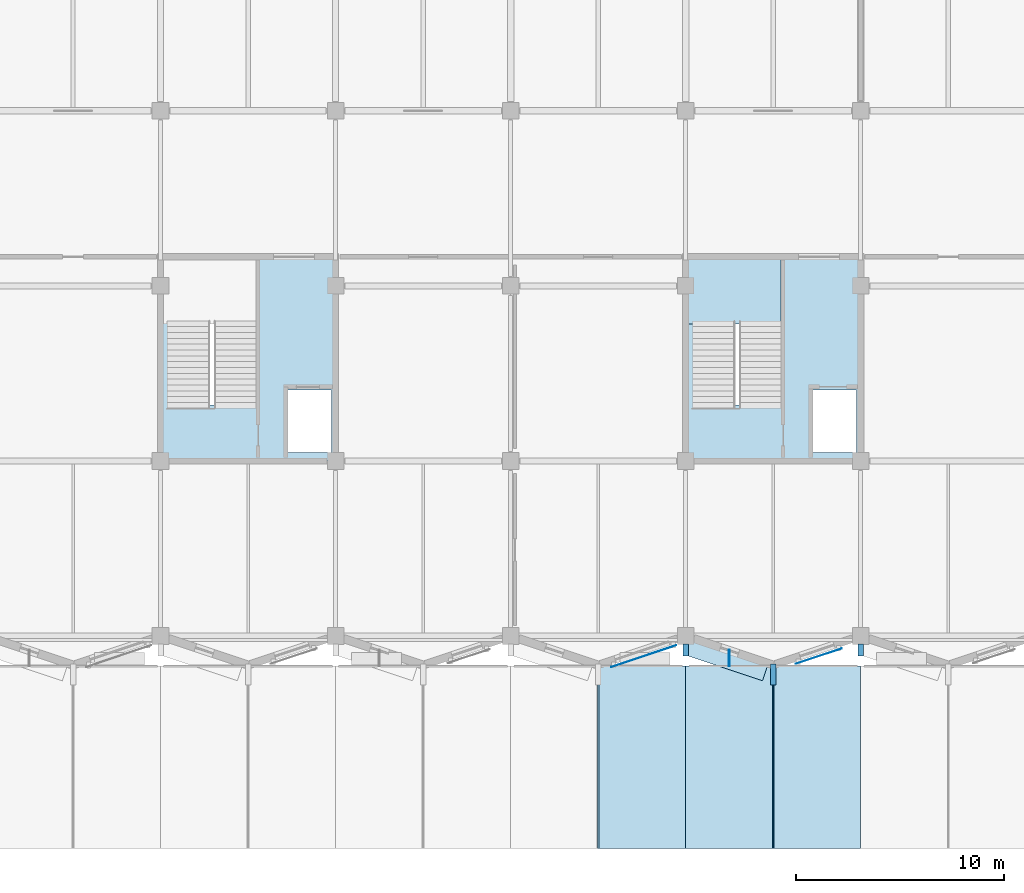
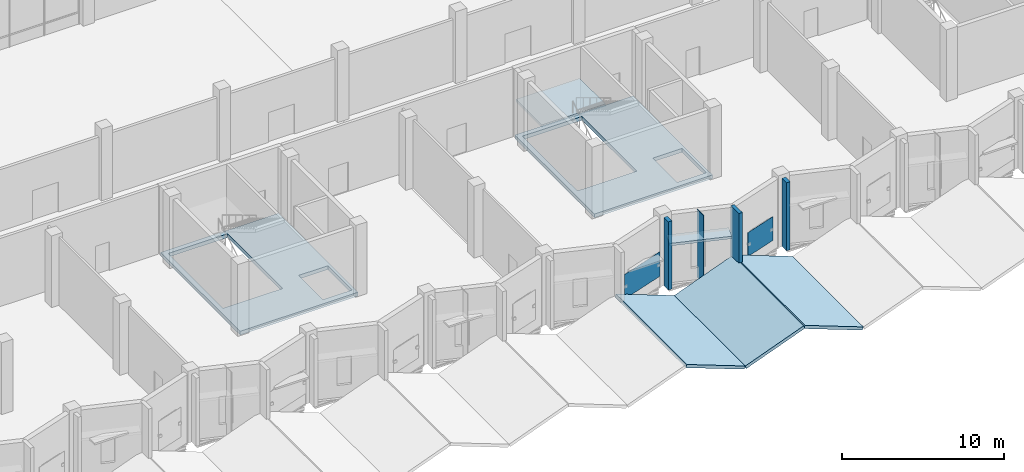
# One storey, part 36 of 72: 7 plates, 6 slabs, 1 element without a shape of its own.
"""IFC4 building model written with IfcOpenShell, lengths in metres."""

from ifc_helpers import new_model, si_unit, direction, frame, frame_2d, origin, place, context, subcontext, project, spatial, polyline, rectangle, outline, extrude, material, layer, layer_set, type_object, element, aggregate, save


model = new_model("IFC4")

# Units and contexts
model_context = context("Model", 3, precision=1e-05, world=origin(), true_north=direction((0.0, 1.0)))
body_context = subcontext(model_context, "Body", "Model", "MODEL_VIEW")
ifc_project = project(units=[si_unit("LENGTHUNIT", "METRE"), si_unit("AREAUNIT", "SQUARE_METRE"), si_unit("VOLUMEUNIT", "CUBIC_METRE"), si_unit("PLANEANGLEUNIT", "RADIAN"), si_unit("MASSUNIT", "GRAM", prefix="KILO")], contexts=[model_context])

# Site, building, storey
site_placement = place(None, origin())
site = spatial("IfcSite", under=ifc_project, at=site_placement, CompositionType="ELEMENT")
building_placement = place(site_placement, origin())
building = spatial("IfcBuilding", under=site, at=building_placement, Name="Qawsi Khor Wholesale Market", CompositionType="ELEMENT")
storey_placement = place(building_placement, frame((0.0, 0.0, 6.0)))
storey = spatial("IfcBuildingStorey", under=building, at=storey_placement, Name="L01", CompositionType="ELEMENT", Elevation=6.0)

# Slabs
ifc_material_1 = material(Name="Concrete C40/50", Category="concrete")
ifc_layer_1 = layer(ifc_material_1, 0.22998046875, Name="Concrete C40/50")
ifc_layer_set_1 = layer_set([ifc_layer_1], Name="Concrete C40/50")
slab_type_1 = type_object("IfcSlabType", Name="Folded Concrete Canopy Slab 230 C40/50", PredefinedType="ROOF", material=ifc_layer_set_1)
slab_1_placement = place(storey_placement, frame((113.445068359375, -10.199951171875, 1.419921875), z_axis=(0.353429429104, 0.0, 0.935461190346), x_axis=(0.935461190346, 0.0, -0.353429429104)))
element("IfcSlab", 1, at=slab_1_placement, inside=storey, type_object=slab_type_1, Name="Boulevard Origami Canopy Facet 13B", PredefinedType="ROOF", context=body_context, shape_type="SweptSolid", body=[
    extrude(outline(polyline([(0.0, 0.0), (4.441690729402894, 0.0), (4.441690729402894, 8.75), (0.0, 8.75), (0.0, 0.0)])), origin(), (0.0, 0.0, -1.0), 0.22998046875),
])
slab_2_placement = place(storey_placement, frame((117.60009765625, -10.199951171875, -0.14990234375), z_axis=(-0.353447602704, 0.0, 0.935454323921), x_axis=(0.935454323921, 0.0, 0.353447602704)))
element("IfcSlab", 2, at=slab_2_placement, inside=storey, type_object=slab_type_1, Name="Boulevard Origami Canopy Facet 14A", PredefinedType="ROOF", context=body_context, shape_type="SweptSolid", body=[
    extrude(outline(polyline([(0.0, 0.0), (4.441462346161384, 0.0), (4.441462346161384, 8.750000000000002), (0.0, 8.750000000000002), (0.0, 0.0)])), origin(), (0.0, 0.0, -1.0), 0.22998046875),
])
slab_3_placement = place(storey_placement, frame((121.844970703125, -10.199951171875, 1.419921875), z_axis=(0.353429429104, 0.0, 0.935461190346), x_axis=(0.935461190346, 0.0, -0.353429429104)))
element("IfcSlab", 3, at=slab_3_placement, inside=storey, type_object=slab_type_1, Name="Boulevard Origami Canopy Facet 14B", PredefinedType="ROOF", context=body_context, shape_type="SweptSolid", body=[
    extrude(outline(polyline([(0.0, 0.0), (4.441690729402894, 0.0), (4.441690729402894, 8.75), (0.0, 8.75), (0.0, 0.0)])), origin(), (0.0, 0.0, -1.0), 0.22998046875),
])

# Plates
ifc_material_2 = material(Name="Perforated Bronze-Anodised Aluminium", Category="aluminium")
ifc_layer_2 = layer(ifc_material_2, 0.014892578125, Name="Perforated Bronze-Anodised Aluminium")
ifc_layer_set_2 = layer_set([ifc_layer_2], Name="Perforated Bronze-Anodised Aluminium")
plate_type_1 = type_object("IfcPlateType", Name="Perforated Bronze Mashrabiya Screen 15mm", PredefinedType="SHEET", material=ifc_layer_set_2)
plate_1_placement = place(storey_placement, frame((117.156005859375, -0.448486328125, 0.85009765625), z_axis=(0.0, 0.0, 1.0), x_axis=(-0.948690696143, -0.316205570874, 0.0)))
element("IfcPlate", 4, at=plate_1_placement, inside=storey, type_object=plate_type_1, Name="Solar mashrabiya screen 011", PredefinedType="SHEET", context=body_context, shape_type="SweptSolid", body=[
    extrude(rectangle(XDim=3.300048828125, YDim=0.014892578125, at=frame_2d((1.64990234375, 0.0))), origin(), (0.0, 0.0, 1.0), 1.849853515625),
])
plate_2_placement = place(storey_placement, frame((125.09130859375, -0.603515625, 0.85009765625), z_axis=(0.0, 0.0, 1.0), x_axis=(-0.948725380391, -0.316101490982, 0.0)))
element("IfcPlate", 5, at=plate_2_placement, inside=storey, type_object=plate_type_1, Name="Solar mashrabiya screen 012", PredefinedType="SHEET", context=body_context, shape_type="SweptSolid", body=[
    extrude(rectangle(XDim=2.320068359375, YDim=0.014892578125, at=frame_2d((1.16015625, 0.0))), origin(), (0.0, 0.0, 1.0), 1.7998046875),
])
ifc_layer_3 = layer(ifc_material_1, 0.260009765625, Name="Concrete C40/50")
ifc_layer_set_3 = layer_set([ifc_layer_3], Name="Concrete C40/50")
plate_type_2 = type_object("IfcPlateType", Name="Sculpted Concrete Solar Buttress Fin 260", PredefinedType="SHEET", material=ifc_layer_set_3)
plate_3_placement = place(storey_placement, frame((117.60009765625, -0.949951171875, 0.0), z_axis=(0.0, 0.0, 1.0), x_axis=(0.0, 1.0, 0.0)))
element("IfcPlate", 6, at=plate_3_placement, inside=storey, type_object=plate_type_2, Name="Boulevard concrete solar buttress fin L01-22", PredefinedType="SHEET", context=body_context, shape_type="SweptSolid", body=[
    extrude(rectangle(XDim=0.570068359375, YDim=0.260009765625, at=frame_2d((0.28515625, 0.0))), origin(), (0.0, 0.0, 1.0), 5.1201171875),
])
plate_4_placement = place(storey_placement, frame((121.800048828125, -2.35009765625, 0.0), z_axis=(0.0, 0.0, 1.0), x_axis=(0.0, 1.0, 0.0)))
element("IfcPlate", 7, at=plate_4_placement, inside=storey, type_object=plate_type_2, Name="Boulevard concrete solar buttress fin L01-23", PredefinedType="SHEET", context=body_context, shape_type="SweptSolid", body=[
    extrude(rectangle(XDim=1.0, YDim=0.260009765625, at=frame_2d((0.5, 0.0))), origin(), (0.0, 0.0, 1.0), 5.1201171875),
])
plate_5_placement = place(storey_placement, frame((126.0, -0.949951171875, 0.0), z_axis=(0.0, 0.0, 1.0), x_axis=(0.0, 1.0, 0.0)))
element("IfcPlate", 8, at=plate_5_placement, inside=storey, type_object=plate_type_2, Name="Boulevard concrete solar buttress fin L01-24", PredefinedType="SHEET", context=body_context, shape_type="SweptSolid", body=[
    extrude(rectangle(XDim=0.570068359375, YDim=0.260009765625, at=frame_2d((0.28515625, 0.0))), origin(), (0.0, 0.0, 1.0), 5.1201171875),
])
ifc_layer_4 = layer(ifc_material_1, 0.949951171875, Name="Concrete C40/50")
ifc_layer_set_4 = layer_set([ifc_layer_4], Name="Concrete C40/50")
plate_type_3 = type_object("IfcPlateType", Name="Sculpted Concrete Sun-Hood Canopy 950", PredefinedType="SHEET", material=ifc_layer_set_4)
plate_6_placement = place(storey_placement, frame((117.710693359375, -0.45849609375, 3.25), z_axis=(0.0, 0.0, 1.0), x_axis=(0.94867708111, -0.316246416226, 0.0)))
element("IfcPlate", 9, at=plate_6_placement, inside=storey, type_object=plate_type_3, Name="Sculpted concrete sun-hood L01-23", PredefinedType="SHEET", context=body_context, shape_type="SweptSolid", body=[
    extrude(rectangle(XDim=3.92724609375, YDim=0.949951171875, at=frame_2d((1.963623046875, 0.0))), origin(), (0.0, 0.0, 1.0), 0.18994140625),
])

# Stair, slab
stair_type = type_object("IfcStairType", Name="Exit Stair L01-L02 5400 Rise", PredefinedType="HALF_TURN_STAIR", material=ifc_material_1)
stair_placement = place(storey_placement, origin())
stair = element("IfcStair", 10, at=stair_placement, inside=storey, type_object=stair_type, Name="Stair ST-04 L01", PredefinedType="HALF_TURN_STAIR")
ifc_layer_5 = layer(ifc_material_1, 0.179931640625, Name="Concrete C40/50")
ifc_layer_set_5 = layer_set([ifc_layer_5], Name="Concrete C40/50")
slab_type_2 = type_object("IfcSlabType", Name="Stair Half-Landing Slab 180 C40/50", PredefinedType="LANDING", material=ifc_layer_set_5)
slab_4_placement = place(storey_placement, frame((0.0, 0.0, 2.52001953125)))
slab_4 = element("IfcSlab", 11, at=slab_4_placement, type_object=slab_type_2, Name="ST-04-L01 landing 1", PredefinedType="LANDING", context=body_context, shape_type="SweptSolid", body=[
    extrude(outline(polyline([(117.64990234375, 14.9599609375), (122.179931640625, 14.9599609375), (122.179931640625, 18.14990234375), (117.64990234375, 18.14990234375), (117.64990234375, 14.9599609375)])), origin(), (0.0, 0.0, 1.0), 0.179931640625),
])
aggregate(stair, [slab_4])

# Slabs
ifc_layer_6 = layer(ifc_material_1, 0.280029296875, Name="Concrete C40/50")
ifc_layer_set_6 = layer_set([ifc_layer_6], Name="Concrete C40/50")
slab_type_3 = type_object("IfcSlabType", Name="Suspended Floor Slab 280 C40/50", PredefinedType="FLOOR", material=ifc_layer_set_6)
slab_5_placement = place(storey_placement, frame((0.0, 0.0, -0.280029296875)))
element("IfcSlab", 12, at=slab_5_placement, inside=storey, type_object=slab_type_3, Name="Core floor slab L01 C03", PredefinedType="FLOOR", context=body_context, shape_type="SweptSolid", body=[
    extrude(outline(polyline([(92.39990234375, 18.199951171875), (100.800048828125, 18.199951171875), (100.800048828125, 8.39990234375), (92.39990234375, 8.39990234375), (92.39990234375, 18.199951171875)]), holes=[polyline([(98.52001953125, 8.800048828125), (100.60009765625, 8.800048828125), (100.60009765625, 11.800048828125), (98.52001953125, 11.800048828125), (98.52001953125, 8.800048828125)]), polyline([(92.739990234375, 11.080078125), (96.97998046875, 11.080078125), (96.97998046875, 17.860107421875), (92.739990234375, 17.860107421875), (92.739990234375, 11.080078125)])]), origin(), (0.0, 0.0, 1.0), 0.280029296875),
])
slab_6_placement = place(storey_placement, frame((0.0, 0.0, -0.280029296875)))
element("IfcSlab", 13, at=slab_6_placement, inside=storey, type_object=slab_type_3, Name="Core floor slab L01 C04", PredefinedType="FLOOR", context=body_context, shape_type="SweptSolid", body=[
    extrude(outline(polyline([(117.60009765625, 18.199951171875), (126.0, 18.199951171875), (126.0, 8.39990234375), (117.60009765625, 8.39990234375), (117.60009765625, 18.199951171875)]), holes=[polyline([(123.719970703125, 8.800048828125), (125.800048828125, 8.800048828125), (125.800048828125, 11.800048828125), (123.719970703125, 11.800048828125), (123.719970703125, 8.800048828125)]), polyline([(117.93994140625, 11.080078125), (122.179931640625, 11.080078125), (122.179931640625, 17.860107421875), (117.93994140625, 17.860107421875), (117.93994140625, 11.080078125)])]), origin(), (0.0, 0.0, 1.0), 0.280029296875),
])

# Plate
ifc_layer_7 = layer(ifc_material_2, 0.044921875, Name="Perforated Bronze-Anodised Aluminium")
ifc_layer_set_7 = layer_set([ifc_layer_7], Name="Perforated Bronze-Anodised Aluminium")
plate_type_4 = type_object("IfcPlateType", Name="Vertical Sculpted Sun-Fin Plate 45mm", PredefinedType="SHEET", material=ifc_layer_set_7)
plate_7_placement = place(storey_placement, frame((119.699951171875, -1.449951171875, 0.0), z_axis=(0.0, 0.0, 1.0), x_axis=(0.0, 1.0, 0.0)))
element("IfcPlate", 14, at=plate_7_placement, inside=storey, type_object=plate_type_4, Name="Sculpted vertical sun-fin L01-22", PredefinedType="SHEET", context=body_context, shape_type="SweptSolid", body=[
    extrude(rectangle(XDim=0.800048828125, YDim=0.044921875, at=frame_2d((0.39990234375, 0.0))), origin(), (0.0, 0.0, 1.0), 5.1201171875),
])

save(model, "model.ifc")
